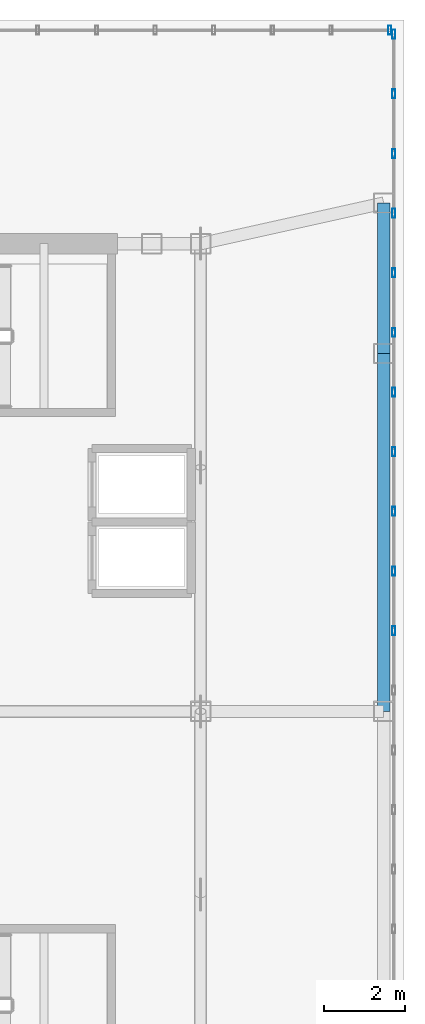
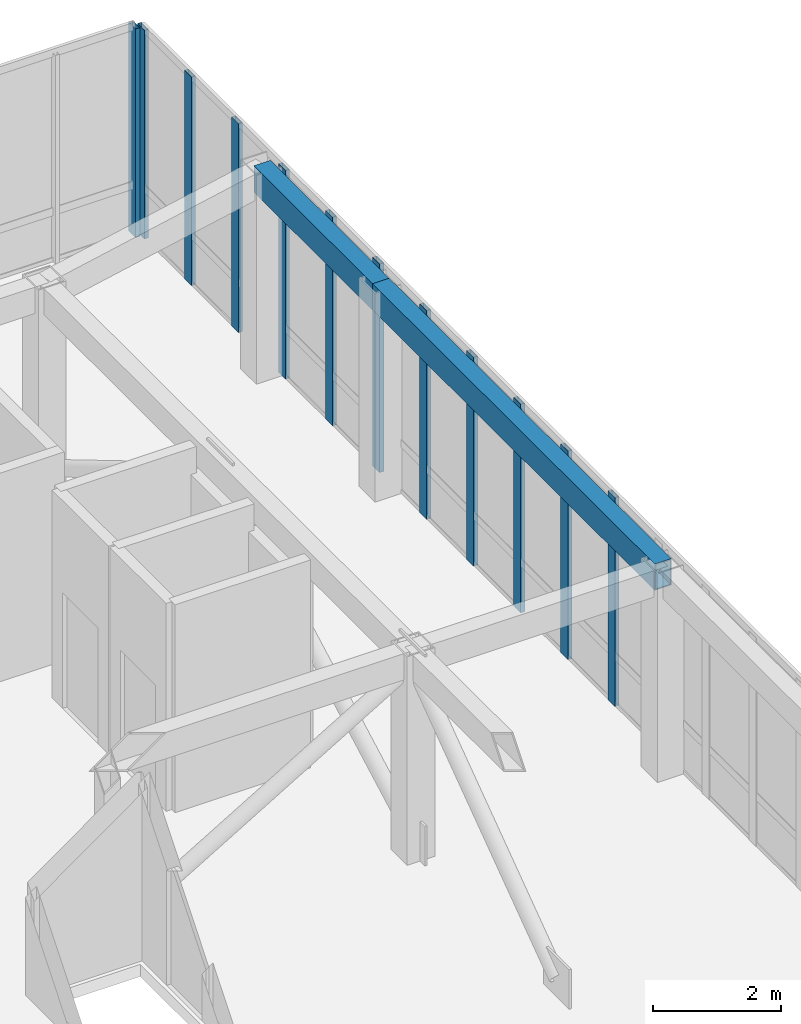
# One storey, part 10 of 13: 12 members, 2 beams, 2 elements without a shape of their own.
"""IFC4 building model written with IfcOpenShell, lengths in metres."""

from ifc_helpers import new_model, si_unit, direction, frame, origin, origin_2d, place, context, subcontext, project, spatial, hollow_rectangle, extrude, source, transform, mapped, material, layer, layer_set, material_profile, profile_set, type_object, element, aggregate, save


model = new_model("IFC4")

# Units and contexts
model_context = context("Model", 3, precision=1e-05, world=origin(), true_north=direction((0.0, 1.0)))
body_context = subcontext(model_context, "Body", "Model", "MODEL_VIEW")
ifc_project = project(units=[si_unit("LENGTHUNIT", "METRE"), si_unit("AREAUNIT", "SQUARE_METRE"), si_unit("VOLUMEUNIT", "CUBIC_METRE"), si_unit("PLANEANGLEUNIT", "RADIAN"), si_unit("MASSUNIT", "GRAM", prefix="KILO")], contexts=[model_context])

# Site, building, storey
site_placement = place(None, origin())
site = spatial("IfcSite", under=ifc_project, at=site_placement, CompositionType="ELEMENT")
building_placement = place(site_placement, origin())
building = spatial("IfcBuilding", under=site, at=building_placement, Name="Kharzan Plaza Tower", CompositionType="ELEMENT")
storey_placement = place(building_placement, frame((0.0, 0.0, 277.199951171875)))
storey = spatial("IfcBuildingStorey", under=building, at=storey_placement, Name="L75-CROWN", CompositionType="ELEMENT", Elevation=277.199951171875)

# Beams
ifc_material_1 = material(Name="Steel S355", Category="steel")
ifc_material_profile_1 = material_profile(ifc_material_1, hollow_rectangle(XDim=0.300048828125, YDim=0.5, WallThickness=0.02001953125, at=origin_2d()), Name="RHS500x300x20")
ifc_profile_set_1 = profile_set([ifc_material_profile_1], Name="Steel S355")
beam_type = type_object("IfcBeamType", Name="BM-CRN500", PredefinedType="BEAM", material=ifc_profile_set_1)
shared_shape_1 = source(origin(), body_context, "Body", "SweptSolid", [
    extrude(hollow_rectangle(XDim=0.300048828125, YDim=0.5, WallThickness=0.02001953125, at=origin_2d()), origin(), (0.0, 0.0, 1.0), 8.800048828125),
])
beam_1_placement = place(storey_placement, frame((19.0, 18.0, 3.719970703125), z_axis=(0.0, 1.0, 0.0), x_axis=(-1.0, 0.0, 0.0)))
element("IfcBeam", 1, at=beam_1_placement, inside=storey, type_object=beam_type, Name="L75-CROWN CROWN FRAME Lantern Ring Beam CRB-E2", PredefinedType="BEAM", context=body_context, shape_type="MappedRepresentation", body=[
    mapped(shared_shape_1, transform((0.0, 0.0, 0.0), x_axis=(1.0, 0.0, 0.0), y_axis=(0.0, 1.0, 0.0), z_axis=(0.0, 0.0, 1.0))),
])
shared_shape_2 = source(origin(), body_context, "Body", "SweptSolid", [
    extrude(hollow_rectangle(XDim=0.300048828125, YDim=0.5, WallThickness=0.02001953125, at=origin_2d()), origin(), (0.0, 0.0, 1.0), 3.699951171875),
])
beam_2_placement = place(storey_placement, frame((19.0, 26.800048828125, 3.719970703125), z_axis=(0.0, 1.0, 0.0), x_axis=(-1.0, 0.0, 0.0)))
element("IfcBeam", 2, at=beam_2_placement, inside=storey, type_object=beam_type, Name="L75-CROWN CROWN FRAME Lantern Ring Beam CRB-E3", PredefinedType="BEAM", context=body_context, shape_type="MappedRepresentation", body=[
    mapped(shared_shape_2, transform((0.0, 0.0, 0.0), x_axis=(1.0, 0.0, 0.0), y_axis=(0.0, 1.0, 0.0), z_axis=(0.0, 0.0, 1.0))),
])

# Curtain wall, members
ifc_material_2 = material(Name="Unitised Bronze-Anodized Aluminium and Low-E Glass", Category="aluminium")
ifc_layer = layer(ifc_material_2, 0.199951171875)
ifc_layer_set = layer_set([ifc_layer], Name="Unitised Bronze-Anodized Aluminium and Low-E Glass")
curtain_wall_type = type_object("IfcCurtainWallType", Name="CW-LANTERN-6", PredefinedType="NOTDEFINED", material=ifc_layer_set)
curtain_wall_1_placement = place(storey_placement, origin())
curtain_wall_1 = element("IfcCurtainWall", 3, at=curtain_wall_1_placement, inside=storey, type_object=curtain_wall_type, Name="L75-CROWN Lantern Crown Illuminated Curtain Wall 2", PredefinedType="NOTDEFINED")
ifc_material_3 = material(Name="Anodized Bronze Aluminium", Category="aluminium")
ifc_material_profile_2 = material_profile(ifc_material_3, hollow_rectangle(XDim=0.074951171875, YDim=0.219970703125, WallThickness=0.00390625, at=origin_2d()), Name="ALU-M220x75x4")
ifc_profile_set_2 = profile_set([ifc_material_profile_2], Name="Anodized Bronze Aluminium")
member_type = type_object("IfcMemberType", Name="MEM-CW-MUL200", PredefinedType="MULLION", material=ifc_profile_set_2)
shared_shape_3 = source(origin(), body_context, "Body", "SweptSolid", [
    extrude(hollow_rectangle(XDim=0.074951171875, YDim=0.219970703125, WallThickness=0.00390625, at=origin_2d()), origin(), (0.0, 0.0, 1.0), 3.969970703125),
])
member_1_placement = place(storey_placement, frame((19.25, 19.9833984375, 0.0), z_axis=(0.0, 0.0, 1.0), x_axis=(1.0, 0.0, 0.0)))
member_1 = element("IfcMember", 4, at=member_1_placement, type_object=member_type, Name="L75-CROWN Curtain-Wall Mullion 11", PredefinedType="MULLION", context=body_context, shape_type="MappedRepresentation", body=[
    mapped(shared_shape_3, transform((0.0, 0.0, 0.0), x_axis=(1.0, 0.0, 0.0), y_axis=(0.0, 1.0, 0.0), z_axis=(0.0, 0.0, 1.0))),
])
member_2_placement = place(storey_placement, frame((19.25, 21.449951171875, 0.0), z_axis=(0.0, 0.0, 1.0), x_axis=(1.0, 0.0, 0.0)))
member_2 = element("IfcMember", 5, at=member_2_placement, type_object=member_type, Name="L75-CROWN Curtain-Wall Mullion 12", PredefinedType="MULLION", context=body_context, shape_type="MappedRepresentation", body=[
    mapped(shared_shape_3, transform((0.0, 0.0, 0.0), x_axis=(1.0, 0.0, 0.0), y_axis=(0.0, 1.0, 0.0), z_axis=(0.0, 0.0, 1.0))),
])
member_3_placement = place(storey_placement, frame((19.25, 22.916748046875, 0.0), z_axis=(0.0, 0.0, 1.0), x_axis=(1.0, 0.0, 0.0)))
member_3 = element("IfcMember", 6, at=member_3_placement, type_object=member_type, Name="L75-CROWN Curtain-Wall Mullion 13", PredefinedType="MULLION", context=body_context, shape_type="MappedRepresentation", body=[
    mapped(shared_shape_3, transform((0.0, 0.0, 0.0), x_axis=(1.0, 0.0, 0.0), y_axis=(0.0, 1.0, 0.0), z_axis=(0.0, 0.0, 1.0))),
])
member_4_placement = place(storey_placement, frame((19.25, 24.38330078125, 0.0), z_axis=(0.0, 0.0, 1.0), x_axis=(1.0, 0.0, 0.0)))
member_4 = element("IfcMember", 7, at=member_4_placement, type_object=member_type, Name="L75-CROWN Curtain-Wall Mullion 14", PredefinedType="MULLION", context=body_context, shape_type="MappedRepresentation", body=[
    mapped(shared_shape_3, transform((0.0, 0.0, 0.0), x_axis=(1.0, 0.0, 0.0), y_axis=(0.0, 1.0, 0.0), z_axis=(0.0, 0.0, 1.0))),
])
member_5_placement = place(storey_placement, frame((19.25, 25.85009765625, 0.0), z_axis=(0.0, 0.0, 1.0), x_axis=(1.0, 0.0, 0.0)))
member_5 = element("IfcMember", 8, at=member_5_placement, type_object=member_type, Name="L75-CROWN Curtain-Wall Mullion 15", PredefinedType="MULLION", context=body_context, shape_type="MappedRepresentation", body=[
    mapped(shared_shape_3, transform((0.0, 0.0, 0.0), x_axis=(1.0, 0.0, 0.0), y_axis=(0.0, 1.0, 0.0), z_axis=(0.0, 0.0, 1.0))),
])
member_6_placement = place(storey_placement, frame((19.25, 27.316650390625, 0.0), z_axis=(0.0, 0.0, 1.0), x_axis=(1.0, 0.0, 0.0)))
member_6 = element("IfcMember", 9, at=member_6_placement, type_object=member_type, Name="L75-CROWN Curtain-Wall Mullion 16", PredefinedType="MULLION", context=body_context, shape_type="MappedRepresentation", body=[
    mapped(shared_shape_3, transform((0.0, 0.0, 0.0), x_axis=(1.0, 0.0, 0.0), y_axis=(0.0, 1.0, 0.0), z_axis=(0.0, 0.0, 1.0))),
])
member_7_placement = place(storey_placement, frame((19.25, 28.783203125, 0.0), z_axis=(0.0, 0.0, 1.0), x_axis=(1.0, 0.0, 0.0)))
member_7 = element("IfcMember", 10, at=member_7_placement, type_object=member_type, Name="L75-CROWN Curtain-Wall Mullion 17", PredefinedType="MULLION", context=body_context, shape_type="MappedRepresentation", body=[
    mapped(shared_shape_3, transform((0.0, 0.0, 0.0), x_axis=(1.0, 0.0, 0.0), y_axis=(0.0, 1.0, 0.0), z_axis=(0.0, 0.0, 1.0))),
])
member_8_placement = place(storey_placement, frame((19.25, 30.25, 0.0), z_axis=(0.0, 0.0, 1.0), x_axis=(1.0, 0.0, 0.0)))
member_8 = element("IfcMember", 11, at=member_8_placement, type_object=member_type, Name="L75-CROWN Curtain-Wall Mullion 18", PredefinedType="MULLION", context=body_context, shape_type="MappedRepresentation", body=[
    mapped(shared_shape_3, transform((0.0, 0.0, 0.0), x_axis=(1.0, 0.0, 0.0), y_axis=(0.0, 1.0, 0.0), z_axis=(0.0, 0.0, 1.0))),
])
member_9_placement = place(storey_placement, frame((19.25, 31.716796875, 0.0), z_axis=(0.0, 0.0, 1.0), x_axis=(1.0, 0.0, 0.0)))
member_9 = element("IfcMember", 12, at=member_9_placement, type_object=member_type, Name="L75-CROWN Curtain-Wall Mullion 19", PredefinedType="MULLION", context=body_context, shape_type="MappedRepresentation", body=[
    mapped(shared_shape_3, transform((0.0, 0.0, 0.0), x_axis=(1.0, 0.0, 0.0), y_axis=(0.0, 1.0, 0.0), z_axis=(0.0, 0.0, 1.0))),
])
member_10_placement = place(storey_placement, frame((19.25, 33.183349609375, 0.0), z_axis=(0.0, 0.0, 1.0), x_axis=(1.0, 0.0, 0.0)))
member_10 = element("IfcMember", 13, at=member_10_placement, type_object=member_type, Name="L75-CROWN Curtain-Wall Mullion 20", PredefinedType="MULLION", context=body_context, shape_type="MappedRepresentation", body=[
    mapped(shared_shape_3, transform((0.0, 0.0, 0.0), x_axis=(1.0, 0.0, 0.0), y_axis=(0.0, 1.0, 0.0), z_axis=(0.0, 0.0, 1.0))),
])
member_11_placement = place(storey_placement, frame((19.25, 34.64990234375, 0.0), z_axis=(0.0, 0.0, 1.0), x_axis=(1.0, 0.0, 0.0)))
member_11 = element("IfcMember", 14, at=member_11_placement, type_object=member_type, Name="L75-CROWN Curtain-Wall Mullion 21", PredefinedType="MULLION", context=body_context, shape_type="MappedRepresentation", body=[
    mapped(shared_shape_3, transform((0.0, 0.0, 0.0), x_axis=(1.0, 0.0, 0.0), y_axis=(0.0, 1.0, 0.0), z_axis=(0.0, 0.0, 1.0))),
])
aggregate(curtain_wall_1, [member_1, member_2, member_3, member_4, member_5, member_6, member_7, member_8, member_9, member_10, member_11])

# Curtain wall, member
curtain_wall_2_placement = place(storey_placement, origin())
curtain_wall_2 = element("IfcCurtainWall", 15, at=curtain_wall_2_placement, inside=storey, type_object=curtain_wall_type, Name="L75-CROWN Lantern Crown Illuminated Curtain Wall 3", PredefinedType="NOTDEFINED")
member_12_placement = place(storey_placement, frame((19.14990234375, 34.75, 0.0), z_axis=(0.0, 0.0, 1.0), x_axis=(1.0, 0.0, 0.0)))
member_12 = element("IfcMember", 16, at=member_12_placement, type_object=member_type, Name="L75-CROWN Curtain-Wall Mullion 00", PredefinedType="MULLION", context=body_context, shape_type="MappedRepresentation", body=[
    mapped(shared_shape_3, transform((0.0, 0.0, 0.0), x_axis=(1.0, 0.0, 0.0), y_axis=(0.0, 1.0, 0.0), z_axis=(0.0, 0.0, 1.0))),
])
aggregate(curtain_wall_2, [member_12])

save(model, "model.ifc")
